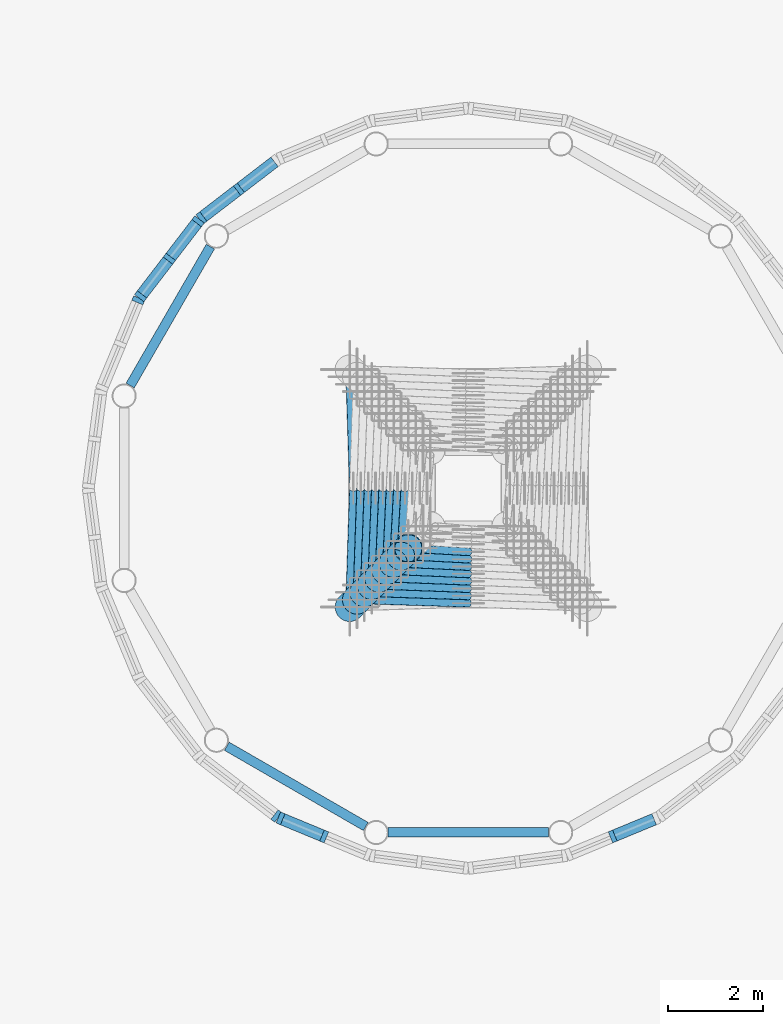
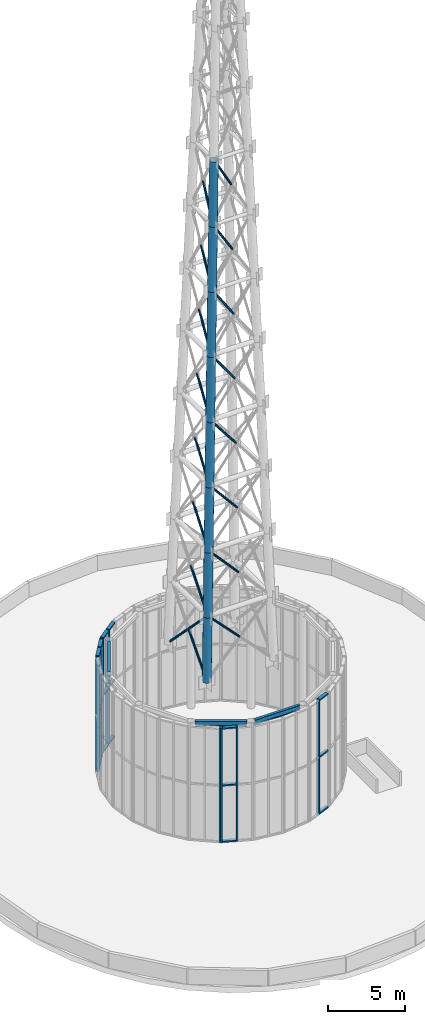
# One storey, part 2 of 11: 53 members, 3 beams, 6 elements without a shape of their own.
"""IFC4 building model written with IfcOpenShell, lengths in metres."""

from ifc_helpers import new_model, si_unit, direction, frame, origin, origin_2d, place, context, subcontext, project, spatial, rectangle, hollow_circle, i_section, extrude, material, material_profile, profile_set, type_object, element, aggregate, save


model = new_model("IFC4")

# Units and contexts
model_context = context("Model", 3, precision=1e-05, world=origin(), true_north=direction((0.0, 1.0)))
body_context = subcontext(model_context, "Body", "Model", "MODEL_VIEW")
ifc_project = project(units=[si_unit("LENGTHUNIT", "METRE"), si_unit("AREAUNIT", "SQUARE_METRE"), si_unit("VOLUMEUNIT", "CUBIC_METRE"), si_unit("PLANEANGLEUNIT", "RADIAN"), si_unit("MASSUNIT", "GRAM", prefix="KILO")], contexts=[model_context])

# Site, building, storey
site_placement = place(None, origin())
site = spatial("IfcSite", under=ifc_project, at=site_placement, CompositionType="ELEMENT")
building_placement = place(site_placement, origin())
building = spatial("IfcBuilding", under=site, at=building_placement, Name="Vermilion Reach Broadcast Tower", CompositionType="ELEMENT")
storey_placement = place(building_placement, frame((0.0, 0.0, 329.699951171875)))
storey = spatial("IfcBuildingStorey", under=building, at=storey_placement, Name="RF", CompositionType="ELEMENT", Elevation=329.699951171875)

# Beams
ifc_material_1 = material(Name="Steel S355J2", Category="steel")
ifc_material_profile_1 = material_profile(ifc_material_1, i_section(OverallWidth=0.199951171875, OverallDepth=0.39990234375, WebThickness=0.008056640625, FlangeThickness=0.012939453125, at=origin_2d()), Name="S355J2 HN 400x200x8x13")
ifc_profile_set_1 = profile_set([ifc_material_profile_1], Name="Steel S355J2")
beam_type = type_object("IfcBeamType", Name="DB1 HN 400x200x8x13", PredefinedType="BEAM", material=ifc_profile_set_1)
for number, where, z_axis, x_axis, name in (
    (1, (-11.430419921875, 5.083251953125, 8.85009765625), (-0.499983428175, -0.866034971321, 0.0), (0.866034971321, -0.499983428175, 0.0), "Plant drum ring beam DB1-05"),
    (2, (-11.083251953125, -5.430419921875, 8.85009765625), (0.866034971321, -0.499983428175, 0.0), (0.499983428175, 0.866034971321, 0.0), "Plant drum ring beam DB1-08"),
):
    element("IfcBeam", number, at=place(storey_placement, frame(where, z_axis=z_axis, x_axis=x_axis)), inside=storey, type_object=beam_type, Name=name, PredefinedType="BEAM", context=body_context, shape_type="SweptSolid", body=[
        extrude(i_section(OverallWidth=0.199951171875, OverallDepth=0.39990234375, WebThickness=0.008056640625, FlangeThickness=0.012939453125, at=origin_2d()), origin(), (0.0, 0.0, 1.0), 3.3740234375),
    ])
beam_placement = place(storey_placement, frame((-7.687255859375, -7.244384765625, 8.85009765625), z_axis=(1.0, 0.0, 0.0), x_axis=(0.0, 1.0, 0.0)))
element("IfcBeam", 3, at=beam_placement, inside=storey, type_object=beam_type, Name="Plant drum ring beam DB1-09", PredefinedType="BEAM", context=body_context, shape_type="SweptSolid", body=[
    extrude(i_section(OverallWidth=0.199951171875, OverallDepth=0.39990234375, WebThickness=0.008056640625, FlangeThickness=0.012939453125, at=origin_2d()), origin(), (0.0, 0.0, 1.0), 3.37451171875),
])

# Curtain wall, members
ifc_material_2 = material(Name="Low-e laminated clear glass in aluminium frame", Category="aluminium")
curtain_wall_type = type_object("IfcCurtainWallType", Name="Drum louvre curtain wall", PredefinedType="NOTDEFINED", material=ifc_material_2)
placement = place(storey_placement, origin())
curtain_wall_1 = element("IfcCurtainWall", 4, at=placement, inside=storey, type_object=curtain_wall_type, Name="Drum louvre wall RF 09", PredefinedType="NOTDEFINED")
ifc_material_3 = material(Name="Anodised aluminium", Category="aluminium")
ifc_material_profile_2 = material_profile(ifc_material_3, rectangle(XDim=0.25, YDim=0.10009765625, at=origin_2d()), Name="Drum louvre mullion 100 x 250")
ifc_profile_set_2 = profile_set([ifc_material_profile_2], Name="Anodised aluminium")
member_type_1 = type_object("IfcMemberType", Name="Drum louvre mullion 100 x 250", PredefinedType="MULLION", material=ifc_profile_set_2)
member_1_placement = place(storey_placement, frame((-10.828369140625, 6.29248046875, 0.0), z_axis=(0.0, 0.0, 1.0), x_axis=(0.608761429009, -0.793353340291, 0.0)))
member_1 = element("IfcMember", 5, at=member_1_placement, type_object=member_type_1, Name="Drum louvre wall mullion RF 09.2", PredefinedType="MULLION", context=body_context, shape_type="SweptSolid", body=[
    extrude(rectangle(XDim=0.25, YDim=0.10009765625, at=origin_2d()), origin(), (0.0, 0.0, 1.0), 9.050048828125),
])
member_2_placement = place(storey_placement, frame((-11.6171875, 5.687255859375, 0.0), z_axis=(0.0, 0.0, 1.0), x_axis=(0.608761429009, -0.793353340291, 0.0)))
member_2 = element("IfcMember", 6, at=member_2_placement, type_object=member_type_1, Name="Drum louvre wall mullion RF 09.3", PredefinedType="MULLION", context=body_context, shape_type="SweptSolid", body=[
    extrude(rectangle(XDim=0.25, YDim=0.10009765625, at=origin_2d()), origin(), (0.0, 0.0, 1.0), 9.050048828125),
])

curtain_wall_2 = element("IfcCurtainWall", 7, at=placement, inside=storey, type_object=curtain_wall_type, Name="Drum louvre wall RF 10", PredefinedType="NOTDEFINED")
member_3_placement = place(storey_placement, frame((-11.687255859375, 5.6171875, 0.0), z_axis=(0.0, 0.0, 1.0), x_axis=(0.793353340291, -0.608761429009, 0.0)))
member_3 = element("IfcMember", 8, at=member_3_placement, type_object=member_type_1, Name="Drum louvre wall mullion RF 10.1", PredefinedType="MULLION", context=body_context, shape_type="SweptSolid", body=[
    extrude(rectangle(XDim=0.25, YDim=0.10009765625, at=origin_2d()), origin(), (0.0, 0.0, 1.0), 9.050048828125),
])
member_4_placement = place(storey_placement, frame((-12.29248046875, 4.828369140625, 0.0), z_axis=(0.0, 0.0, 1.0), x_axis=(0.793353340291, -0.608761429009, 0.0)))
member_4 = element("IfcMember", 9, at=member_4_placement, type_object=member_type_1, Name="Drum louvre wall mullion RF 10.2", PredefinedType="MULLION", context=body_context, shape_type="SweptSolid", body=[
    extrude(rectangle(XDim=0.25, YDim=0.10009765625, at=origin_2d()), origin(), (0.0, 0.0, 1.0), 9.050048828125),
])
member_5_placement = place(storey_placement, frame((-12.897705078125, 4.03955078125, 0.0), z_axis=(0.0, 0.0, 1.0), x_axis=(0.793353340291, -0.608761429009, 0.0)))
member_5 = element("IfcMember", 10, at=member_5_placement, type_object=member_type_1, Name="Drum louvre wall mullion RF 10.3", PredefinedType="MULLION", context=body_context, shape_type="SweptSolid", body=[
    extrude(rectangle(XDim=0.25, YDim=0.10009765625, at=origin_2d()), origin(), (0.0, 0.0, 1.0), 9.050048828125),
])

# Curtain wall, member
curtain_wall_3 = element("IfcCurtainWall", 11, at=placement, inside=storey, type_object=curtain_wall_type, Name="Drum louvre wall RF 11", PredefinedType="NOTDEFINED")
member_6_placement = place(storey_placement, frame((-12.947265625, 3.953857421875, 0.0), z_axis=(0.0, 0.0, 1.0), x_axis=(0.923879532511, -0.382683432365, 0.0)))
member_6 = element("IfcMember", 12, at=member_6_placement, type_object=member_type_1, Name="Drum louvre wall mullion RF 11.1", PredefinedType="MULLION", context=body_context, shape_type="SweptSolid", body=[
    extrude(rectangle(XDim=0.25, YDim=0.10009765625, at=origin_2d()), origin(), (0.0, 0.0, 1.0), 9.050048828125),
])
aggregate(curtain_wall_3, [member_6])

curtain_wall_4 = element("IfcCurtainWall", 13, at=placement, inside=storey, type_object=curtain_wall_type, Name="Drum louvre wall RF 16", PredefinedType="NOTDEFINED")
member_7_placement = place(storey_placement, frame((-10.03955078125, -6.897705078125, 0.0), z_axis=(0.0, 0.0, 1.0), x_axis=(0.608761429009, 0.793353340291, 0.0)))
member_7 = element("IfcMember", 14, at=member_7_placement, type_object=member_type_1, Name="Drum louvre wall mullion RF 16.3", PredefinedType="MULLION", context=body_context, shape_type="SweptSolid", body=[
    extrude(rectangle(XDim=0.25, YDim=0.10009765625, at=origin_2d()), origin(), (0.0, 0.0, 1.0), 9.050048828125),
])
aggregate(curtain_wall_4, [member_7])

# Curtain wall, members
curtain_wall_5 = element("IfcCurtainWall", 15, at=placement, inside=storey, type_object=curtain_wall_type, Name="Drum louvre wall RF 17", PredefinedType="NOTDEFINED")
member_8_placement = place(storey_placement, frame((-9.953857421875, -6.947265625, 0.0), z_axis=(0.0, 0.0, 1.0), x_axis=(0.382683432365, 0.923879532511, 0.0)))
member_8 = element("IfcMember", 16, at=member_8_placement, type_object=member_type_1, Name="Drum louvre wall mullion RF 17.1", PredefinedType="MULLION", context=body_context, shape_type="SweptSolid", body=[
    extrude(rectangle(XDim=0.25, YDim=0.10009765625, at=origin_2d()), origin(), (0.0, 0.0, 1.0), 9.050048828125),
])
member_9_placement = place(storey_placement, frame((-9.03515625, -7.327880859375, 0.0), z_axis=(0.0, 0.0, 1.0), x_axis=(0.382683432365, 0.923879532511, 0.0)))
member_9 = element("IfcMember", 17, at=member_9_placement, type_object=member_type_1, Name="Drum louvre wall mullion RF 17.2", PredefinedType="MULLION", context=body_context, shape_type="SweptSolid", body=[
    extrude(rectangle(XDim=0.25, YDim=0.10009765625, at=origin_2d()), origin(), (0.0, 0.0, 1.0), 9.050048828125),
])

# Curtain wall, member
curtain_wall_6 = element("IfcCurtainWall", 18, at=placement, inside=storey, type_object=curtain_wall_type, Name="Drum louvre wall RF 20", PredefinedType="NOTDEFINED")
member_10_placement = place(storey_placement, frame((-2.96484375, -7.327880859375, 0.0), z_axis=(0.0, 0.0, 1.0), x_axis=(-0.382683432365, 0.923879532511, 0.0)))
member_10 = element("IfcMember", 19, at=member_10_placement, type_object=member_type_1, Name="Drum louvre wall mullion RF 20.2", PredefinedType="MULLION", context=body_context, shape_type="SweptSolid", body=[
    extrude(rectangle(XDim=0.25, YDim=0.10009765625, at=origin_2d()), origin(), (0.0, 0.0, 1.0), 9.050048828125),
])

# Member
ifc_material_4 = material(Name="Anodised aluminium", Category="aluminium")
ifc_material_profile_3 = material_profile(ifc_material_4, rectangle(XDim=0.25, YDim=0.10009765625, at=origin_2d()), Name="Drum louvre transom 250 x 100")
ifc_profile_set_3 = profile_set([ifc_material_profile_3], Name="Anodised aluminium")
member_type_2 = type_object("IfcMemberType", Name="Drum louvre transom 250 x 100", PredefinedType="USERDEFINED", material=ifc_profile_set_3)
member_11_placement = place(storey_placement, frame((-10.079345703125, 6.867431640625, 0.050048828125), z_axis=(-0.793333856292, -0.60878682021, 0.0), x_axis=(0.60878682021, -0.793333856292, 0.0)))
member_11 = element("IfcMember", 20, at=member_11_placement, type_object=member_type_2, Name="Drum louvre wall transom RF 09.1.1", ObjectType="TRANSOM", PredefinedType="USERDEFINED", context=body_context, shape_type="SweptSolid", body=[
    extrude(rectangle(XDim=0.25, YDim=0.10009765625, at=origin_2d()), origin(), (0.0, 0.0, 1.0), 0.894287109375),
])

member_12_placement = place(storey_placement, frame((-10.079345703125, 6.867431640625, 4.5), z_axis=(-0.793333856292, -0.60878682021, 0.0), x_axis=(0.60878682021, -0.793333856292, 0.0)))
member_12 = element("IfcMember", 21, at=member_12_placement, type_object=member_type_2, Name="Drum louvre wall transom RF 09.1.2", ObjectType="TRANSOM", PredefinedType="USERDEFINED", context=body_context, shape_type="SweptSolid", body=[
    extrude(rectangle(XDim=0.25, YDim=0.10009765625, at=origin_2d()), origin(), (0.0, 0.0, 1.0), 0.894287109375),
])

member_13_placement = place(storey_placement, frame((-10.079345703125, 6.867431640625, 9.0), z_axis=(-0.793333856292, -0.60878682021, 0.0), x_axis=(0.60878682021, -0.793333856292, 0.0)))
member_13 = element("IfcMember", 22, at=member_13_placement, type_object=member_type_2, Name="Drum louvre wall transom RF 09.1.3", ObjectType="TRANSOM", PredefinedType="USERDEFINED", context=body_context, shape_type="SweptSolid", body=[
    extrude(rectangle(XDim=0.25, YDim=0.10009765625, at=origin_2d()), origin(), (0.0, 0.0, 1.0), 0.894287109375),
])

member_14_placement = place(storey_placement, frame((-10.8681640625, 6.26220703125, 0.050048828125), z_axis=(-0.793333856292, -0.60878682021, 0.0), x_axis=(0.60878682021, -0.793333856292, 0.0)))
member_14 = element("IfcMember", 23, at=member_14_placement, type_object=member_type_2, Name="Drum louvre wall transom RF 09.2.1", ObjectType="TRANSOM", PredefinedType="USERDEFINED", context=body_context, shape_type="SweptSolid", body=[
    extrude(rectangle(XDim=0.25, YDim=0.10009765625, at=origin_2d()), origin(), (0.0, 0.0, 1.0), 0.894287109375),
])

member_15_placement = place(storey_placement, frame((-10.8681640625, 6.26220703125, 4.5), z_axis=(-0.793333856292, -0.60878682021, 0.0), x_axis=(0.60878682021, -0.793333856292, 0.0)))
member_15 = element("IfcMember", 24, at=member_15_placement, type_object=member_type_2, Name="Drum louvre wall transom RF 09.2.2", ObjectType="TRANSOM", PredefinedType="USERDEFINED", context=body_context, shape_type="SweptSolid", body=[
    extrude(rectangle(XDim=0.25, YDim=0.10009765625, at=origin_2d()), origin(), (0.0, 0.0, 1.0), 0.894287109375),
])

member_16_placement = place(storey_placement, frame((-10.8681640625, 6.26220703125, 9.0), z_axis=(-0.793333856292, -0.60878682021, 0.0), x_axis=(0.60878682021, -0.793333856292, 0.0)))
member_16 = element("IfcMember", 25, at=member_16_placement, type_object=member_type_2, Name="Drum louvre wall transom RF 09.2.3", ObjectType="TRANSOM", PredefinedType="USERDEFINED", context=body_context, shape_type="SweptSolid", body=[
    extrude(rectangle(XDim=0.25, YDim=0.10009765625, at=origin_2d()), origin(), (0.0, 0.0, 1.0), 0.894287109375),
])

aggregate(curtain_wall_1, [member_1, member_2, member_11, member_12, member_13, member_14, member_15, member_16])

member_17_placement = place(storey_placement, frame((-11.7177734375, 5.57763671875, 0.050048828125), z_axis=(-0.60878682021, -0.793333856292, 0.0), x_axis=(0.793333856292, -0.60878682021, 0.0)))
member_17 = element("IfcMember", 26, at=member_17_placement, type_object=member_type_2, Name="Drum louvre wall transom RF 10.1.1", ObjectType="TRANSOM", PredefinedType="USERDEFINED", context=body_context, shape_type="SweptSolid", body=[
    extrude(rectangle(XDim=0.25, YDim=0.10009765625, at=origin_2d()), origin(), (0.0, 0.0, 1.0), 0.894287109375),
])

member_18_placement = place(storey_placement, frame((-11.7177734375, 5.57763671875, 4.5), z_axis=(-0.60878682021, -0.793333856292, 0.0), x_axis=(0.793333856292, -0.60878682021, 0.0)))
member_18 = element("IfcMember", 27, at=member_18_placement, type_object=member_type_2, Name="Drum louvre wall transom RF 10.1.2", ObjectType="TRANSOM", PredefinedType="USERDEFINED", context=body_context, shape_type="SweptSolid", body=[
    extrude(rectangle(XDim=0.25, YDim=0.10009765625, at=origin_2d()), origin(), (0.0, 0.0, 1.0), 0.894287109375),
])

member_19_placement = place(storey_placement, frame((-11.7177734375, 5.57763671875, 9.0), z_axis=(-0.60878682021, -0.793333856292, 0.0), x_axis=(0.793333856292, -0.60878682021, 0.0)))
member_19 = element("IfcMember", 28, at=member_19_placement, type_object=member_type_2, Name="Drum louvre wall transom RF 10.1.3", ObjectType="TRANSOM", PredefinedType="USERDEFINED", context=body_context, shape_type="SweptSolid", body=[
    extrude(rectangle(XDim=0.25, YDim=0.10009765625, at=origin_2d()), origin(), (0.0, 0.0, 1.0), 0.894287109375),
])

member_20_placement = place(storey_placement, frame((-12.322998046875, 4.788818359375, 0.050048828125), z_axis=(-0.60878682021, -0.793333856292, 0.0), x_axis=(0.793333856292, -0.60878682021, 0.0)))
member_20 = element("IfcMember", 29, at=member_20_placement, type_object=member_type_2, Name="Drum louvre wall transom RF 10.2.1", ObjectType="TRANSOM", PredefinedType="USERDEFINED", context=body_context, shape_type="SweptSolid", body=[
    extrude(rectangle(XDim=0.25, YDim=0.10009765625, at=origin_2d()), origin(), (0.0, 0.0, 1.0), 0.894287109375),
])

member_21_placement = place(storey_placement, frame((-12.322998046875, 4.788818359375, 4.5), z_axis=(-0.60878682021, -0.793333856292, 0.0), x_axis=(0.793333856292, -0.60878682021, 0.0)))
member_21 = element("IfcMember", 30, at=member_21_placement, type_object=member_type_2, Name="Drum louvre wall transom RF 10.2.2", ObjectType="TRANSOM", PredefinedType="USERDEFINED", context=body_context, shape_type="SweptSolid", body=[
    extrude(rectangle(XDim=0.25, YDim=0.10009765625, at=origin_2d()), origin(), (0.0, 0.0, 1.0), 0.894287109375),
])

member_22_placement = place(storey_placement, frame((-12.322998046875, 4.788818359375, 9.0), z_axis=(-0.60878682021, -0.793333856292, 0.0), x_axis=(0.793333856292, -0.60878682021, 0.0)))
member_22 = element("IfcMember", 31, at=member_22_placement, type_object=member_type_2, Name="Drum louvre wall transom RF 10.2.3", ObjectType="TRANSOM", PredefinedType="USERDEFINED", context=body_context, shape_type="SweptSolid", body=[
    extrude(rectangle(XDim=0.25, YDim=0.10009765625, at=origin_2d()), origin(), (0.0, 0.0, 1.0), 0.894287109375),
])

aggregate(curtain_wall_2, [member_3, member_4, member_5, member_17, member_18, member_19, member_20, member_21, member_22])

member_23_placement = place(storey_placement, frame((-9.90771484375, -6.966552734375, 0.050048828125), z_axis=(0.923946964655, -0.382520596183, 0.0), x_axis=(0.382520596183, 0.923946964655, 0.0)))
member_23 = element("IfcMember", 32, at=member_23_placement, type_object=member_type_2, Name="Drum louvre wall transom RF 17.1.1", ObjectType="TRANSOM", PredefinedType="USERDEFINED", context=body_context, shape_type="SweptSolid", body=[
    extrude(rectangle(XDim=0.25, YDim=0.10009765625, at=origin_2d()), origin(), (0.0, 0.0, 1.0), 0.894287109375),
])

member_24_placement = place(storey_placement, frame((-9.90771484375, -6.966552734375, 4.5), z_axis=(0.923946964655, -0.382520596183, 0.0), x_axis=(0.382520596183, 0.923946964655, 0.0)))
member_24 = element("IfcMember", 33, at=member_24_placement, type_object=member_type_2, Name="Drum louvre wall transom RF 17.1.2", ObjectType="TRANSOM", PredefinedType="USERDEFINED", context=body_context, shape_type="SweptSolid", body=[
    extrude(rectangle(XDim=0.25, YDim=0.10009765625, at=origin_2d()), origin(), (0.0, 0.0, 1.0), 0.894287109375),
])

member_25_placement = place(storey_placement, frame((-9.90771484375, -6.966552734375, 9.0), z_axis=(0.923946964655, -0.382520596183, 0.0), x_axis=(0.382520596183, 0.923946964655, 0.0)))
member_25 = element("IfcMember", 34, at=member_25_placement, type_object=member_type_2, Name="Drum louvre wall transom RF 17.1.3", ObjectType="TRANSOM", PredefinedType="USERDEFINED", context=body_context, shape_type="SweptSolid", body=[
    extrude(rectangle(XDim=0.25, YDim=0.10009765625, at=origin_2d()), origin(), (0.0, 0.0, 1.0), 0.894287109375),
])

aggregate(curtain_wall_5, [member_8, member_9, member_23, member_24, member_25])

member_26_placement = place(storey_placement, frame((-2.91845703125, -7.30859375, 0.050048828125), z_axis=(0.923946964655, 0.382520596183, 0.0), x_axis=(-0.382520596183, 0.923946964655, 0.0)))
member_26 = element("IfcMember", 35, at=member_26_placement, type_object=member_type_2, Name="Drum louvre wall transom RF 20.2.1", ObjectType="TRANSOM", PredefinedType="USERDEFINED", context=body_context, shape_type="SweptSolid", body=[
    extrude(rectangle(XDim=0.25, YDim=0.10009765625, at=origin_2d()), origin(), (0.0, 0.0, 1.0), 0.894287109375),
])

member_27_placement = place(storey_placement, frame((-2.91845703125, -7.30859375, 4.5), z_axis=(0.923946964655, 0.382520596183, 0.0), x_axis=(-0.382520596183, 0.923946964655, 0.0)))
member_27 = element("IfcMember", 36, at=member_27_placement, type_object=member_type_2, Name="Drum louvre wall transom RF 20.2.2", ObjectType="TRANSOM", PredefinedType="USERDEFINED", context=body_context, shape_type="SweptSolid", body=[
    extrude(rectangle(XDim=0.25, YDim=0.10009765625, at=origin_2d()), origin(), (0.0, 0.0, 1.0), 0.894287109375),
])

member_28_placement = place(storey_placement, frame((-2.91845703125, -7.30859375, 9.0), z_axis=(0.923946964655, 0.382520596183, 0.0), x_axis=(-0.382520596183, 0.923946964655, 0.0)))
member_28 = element("IfcMember", 37, at=member_28_placement, type_object=member_type_2, Name="Drum louvre wall transom RF 20.2.3", ObjectType="TRANSOM", PredefinedType="USERDEFINED", context=body_context, shape_type="SweptSolid", body=[
    extrude(rectangle(XDim=0.25, YDim=0.10009765625, at=origin_2d()), origin(), (0.0, 0.0, 1.0), 0.894287109375),
])

aggregate(curtain_wall_6, [member_10, member_26, member_27, member_28])

# Members
ifc_material_5 = material(Name="Steel S355J2H", Category="steel")
ifc_material_profile_4 = material_profile(ifc_material_5, hollow_circle(Radius=0.084228515625, WallThickness=0.008056640625, at=origin_2d()), Name="S355J2H CHS 168x8")
ifc_profile_set_4 = profile_set([ifc_material_profile_4], Name="Steel S355J2H")
member_type_3 = type_object("IfcMemberType", Name="MBR CHS 168x8", PredefinedType="BRACE", material=ifc_profile_set_4)
member_29_placement = place(storey_placement, frame((-6.0, -2.420166015625, 12.079833984375), z_axis=(-0.695778743189, 0.022136242917, 0.717914986106), x_axis=(-0.031798971296, -0.999494284838, 0.0)))
element("IfcMember", 38, at=member_29_placement, inside=storey, type_object=member_type_3, Name="Mast brace panel 1", PredefinedType="BRACE", context=body_context, shape_type="SweptSolid", body=[
    extrude(hollow_circle(Radius=0.084228515625, WallThickness=0.008056640625, at=origin_2d()), origin(), (0.0, 0.0, 1.0), 3.066162109375),
])
member_30_placement = place(storey_placement, frame((-8.4931640625, 2.287841796875, 9.718994140625), z_axis=(0.022168783779, -0.695761707887, 0.717930491666), x_axis=(0.99949277323, 0.031846448183, 0.0)))
element("IfcMember", 39, at=member_30_placement, inside=storey, type_object=member_type_3, Name="Mast brace panel 1", PredefinedType="BRACE", context=body_context, shape_type="SweptSolid", body=[
    extrude(hollow_circle(Radius=0.084228515625, WallThickness=0.008056640625, at=origin_2d()), origin(), (0.0, 0.0, 1.0), 6.3544921875),
])
member_31_placement = place(storey_placement, frame((-8.4931640625, -2.287841796875, 9.718994140625), z_axis=(0.022199125077, 0.695745823055, 0.717944948132), x_axis=(-0.9994913617, 0.031890717869, 0.0)))
element("IfcMember", 40, at=member_31_placement, inside=storey, type_object=member_type_3, Name="Mast brace panel 1", PredefinedType="BRACE", context=body_context, shape_type="SweptSolid", body=[
    extrude(hollow_circle(Radius=0.084228515625, WallThickness=0.008056640625, at=origin_2d()), origin(), (0.0, 0.0, 1.0), 3.288330078125),
])
member_32_placement = place(storey_placement, frame((-6.0, -2.265625, 17.085205078125), z_axis=(-0.671777177322, 0.022874281268, 0.740400021127), x_axis=(-0.034030677134, -0.999420788764, 0.0)))
element("IfcMember", 41, at=member_32_placement, inside=storey, type_object=member_type_3, Name="Mast brace panel 2", PredefinedType="BRACE", context=body_context, shape_type="SweptSolid", body=[
    extrude(hollow_circle(Radius=0.084228515625, WallThickness=0.008056640625, at=origin_2d()), origin(), (0.0, 0.0, 1.0), 2.95654296875),
])
member_33_placement = place(storey_placement, frame((-8.33837890625, -2.140625, 14.725830078125), z_axis=(0.022831426931, 0.671764937339, 0.740412449184), x_axis=(-0.999422934117, 0.033967613409, 0.0)))
element("IfcMember", 42, at=member_33_placement, inside=storey, type_object=member_type_3, Name="Mast brace panel 2", PredefinedType="BRACE", context=body_context, shape_type="SweptSolid", body=[
    extrude(hollow_circle(Radius=0.084228515625, WallThickness=0.008056640625, at=origin_2d()), origin(), (0.0, 0.0, 1.0), 3.1865234375),
])
member_34_placement = place(storey_placement, frame((-6.0, -2.11083984375, 22.091552734375), z_axis=(-0.645508162712, 0.023644360041, 0.763387291033), x_axis=(-0.03660451667, -0.999329830116, 0.0)))
element("IfcMember", 43, at=member_34_placement, inside=storey, type_object=member_type_3, Name="Mast brace panel 3", PredefinedType="BRACE", context=body_context, shape_type="SweptSolid", body=[
    extrude(hollow_circle(Radius=0.084228515625, WallThickness=0.008056640625, at=origin_2d()), origin(), (0.0, 0.0, 1.0), 2.849853515625),
])
member_35_placement = place(storey_placement, frame((-8.18359375, -1.994140625, 19.73291015625), z_axis=(0.023548672028, 0.645454876267, 0.763435303577), x_axis=(-0.999335128402, 0.036459582305, 0.0)))
element("IfcMember", 44, at=member_35_placement, inside=storey, type_object=member_type_3, Name="Mast brace panel 3", PredefinedType="BRACE", context=body_context, shape_type="SweptSolid", body=[
    extrude(hollow_circle(Radius=0.084228515625, WallThickness=0.008056640625, at=origin_2d()), origin(), (0.0, 0.0, 1.0), 3.089599609375),
])
member_36_placement = place(storey_placement, frame((-6.0, -1.9560546875, 27.0986328125), z_axis=(-0.616652575441, 0.024353243827, 0.786858640873), x_axis=(-0.03946188742, -0.99922107636, 0.0)))
element("IfcMember", 45, at=member_36_placement, inside=storey, type_object=member_type_3, Name="Mast brace panel 4", PredefinedType="BRACE", context=body_context, shape_type="SweptSolid", body=[
    extrude(hollow_circle(Radius=0.084228515625, WallThickness=0.008056640625, at=origin_2d()), origin(), (0.0, 0.0, 1.0), 2.746826171875),
])
member_37_placement = place(storey_placement, frame((-8.029052734375, -1.848388671875, 24.739990234375), z_axis=(0.024352897894, 0.61664143797, 0.786867379768), x_axis=(-0.999221070359, 0.039462039366, 0.0)))
element("IfcMember", 46, at=member_37_placement, inside=storey, type_object=member_type_3, Name="Mast brace panel 4", PredefinedType="BRACE", context=body_context, shape_type="SweptSolid", body=[
    extrude(hollow_circle(Radius=0.084228515625, WallThickness=0.008056640625, at=origin_2d()), origin(), (0.0, 0.0, 1.0), 2.99755859375),
])
member_38_placement = place(storey_placement, frame((-6.0, -1.80126953125, 32.107177734375), z_axis=(-0.585087405747, 0.025085714748, 0.810582157805), x_axis=(-0.042835803625, -0.999082125717, 0.0)))
element("IfcMember", 47, at=member_38_placement, inside=storey, type_object=member_type_3, Name="Mast brace panel 5", PredefinedType="BRACE", context=body_context, shape_type="SweptSolid", body=[
    extrude(hollow_circle(Radius=0.084228515625, WallThickness=0.008056640625, at=origin_2d()), origin(), (0.0, 0.0, 1.0), 2.647216796875),
])
member_39_placement = place(storey_placement, frame((-7.874267578125, -1.703369140625, 29.747314453125), z_axis=(0.025073916487, 0.585086004445, 0.810583534322), x_axis=(-0.999082983326, 0.042815796476, 0.0)))
element("IfcMember", 48, at=member_39_placement, inside=storey, type_object=member_type_3, Name="Mast brace panel 5", PredefinedType="BRACE", context=body_context, shape_type="SweptSolid", body=[
    extrude(hollow_circle(Radius=0.084228515625, WallThickness=0.008056640625, at=origin_2d()), origin(), (0.0, 0.0, 1.0), 2.911376953125),
])
member_40_placement = place(storey_placement, frame((-6.0, -1.646484375, 37.1171875), z_axis=(-0.550666285519, 0.025839398173, 0.834325456579), x_axis=(-0.046872304513, -0.998900889513, 0.0)))
element("IfcMember", 49, at=member_40_placement, inside=storey, type_object=member_type_3, Name="Mast brace panel 6", PredefinedType="BRACE", context=body_context, shape_type="SweptSolid", body=[
    extrude(hollow_circle(Radius=0.084228515625, WallThickness=0.008056640625, at=origin_2d()), origin(), (0.0, 0.0, 1.0), 2.551025390625),
])
member_41_placement = place(storey_placement, frame((-7.719482421875, -1.559326171875, 34.754638671875), z_axis=(0.025778975524, 0.550669955429, 0.834324903505), x_axis=(-0.998906029941, 0.046762627674, 0.0)))
element("IfcMember", 50, at=member_41_placement, inside=storey, type_object=member_type_3, Name="Mast brace panel 6", PredefinedType="BRACE", context=body_context, shape_type="SweptSolid", body=[
    extrude(hollow_circle(Radius=0.084228515625, WallThickness=0.008056640625, at=origin_2d()), origin(), (0.0, 0.0, 1.0), 2.831787109375),
])
member_42_placement = place(storey_placement, frame((-6.0, -1.491455078125, 42.129150390625), z_axis=(-0.513190001673, 0.026513492734, 0.857865407209), x_axis=(-0.051595274093, -0.998668076836, 0.0)))
element("IfcMember", 51, at=member_42_placement, inside=storey, type_object=member_type_3, Name="Mast brace panel 7", PredefinedType="BRACE", context=body_context, shape_type="SweptSolid", body=[
    extrude(hollow_circle(Radius=0.084228515625, WallThickness=0.008056640625, at=origin_2d()), origin(), (0.0, 0.0, 1.0), 2.45849609375),
])
member_43_placement = place(storey_placement, frame((-7.564697265625, -1.416259765625, 39.76171875), z_axis=(0.026540005715, 0.513195243844, 0.857861451397), x_axis=(-0.998665444252, 0.051646204667, 0.0)))
element("IfcMember", 52, at=member_43_placement, inside=storey, type_object=member_type_3, Name="Mast brace panel 7", PredefinedType="BRACE", context=body_context, shape_type="SweptSolid", body=[
    extrude(hollow_circle(Radius=0.084228515625, WallThickness=0.008056640625, at=origin_2d()), origin(), (0.0, 0.0, 1.0), 2.759765625),
])
member_44_placement = place(storey_placement, frame((-6.0, -1.33642578125, 47.14404296875), z_axis=(-0.472498374716, 0.027200080882, 0.880911710384), x_axis=(-0.057471358278, -0.998347155541, 0.0)))
element("IfcMember", 53, at=member_44_placement, inside=storey, type_object=member_type_3, Name="Mast brace panel 8", PredefinedType="BRACE", context=body_context, shape_type="SweptSolid", body=[
    extrude(hollow_circle(Radius=0.084228515625, WallThickness=0.008056640625, at=origin_2d()), origin(), (0.0, 0.0, 1.0), 2.36962890625),
])
member_45_placement = place(storey_placement, frame((-7.409912109375, -1.274169921875, 44.768798828125), z_axis=(0.027253269785, 0.472540913647, 0.880887248299), x_axis=(-0.998340999136, 0.057578202863, 0.0)))
element("IfcMember", 54, at=member_45_placement, inside=storey, type_object=member_type_3, Name="Mast brace panel 8", PredefinedType="BRACE", context=body_context, shape_type="SweptSolid", body=[
    extrude(hollow_circle(Radius=0.084228515625, WallThickness=0.008056640625, at=origin_2d()), origin(), (0.0, 0.0, 1.0), 2.696533203125),
])
ifc_material_6 = material(Name="Steel S355J2H", Category="steel")
ifc_material_profile_5 = material_profile(ifc_material_6, hollow_circle(Radius=0.304931640625, WallThickness=0.02490234375, at=origin_2d()), Name="S355J2H CHS 610x25")
ifc_profile_set_5 = profile_set([ifc_material_profile_5], Name="Steel S355J2H")
member_type_4 = type_object("IfcMemberType", Name="MLG1 CHS 610x25", PredefinedType="POST", material=ifc_profile_set_5)
for number, where, z_axis, x_axis, name in (
    (55, (-8.5, -2.5, 9.5), (0.030878718237, 0.030878718237, 0.99904604975), (-0.707106781187, 0.707106781187, 0.0), "Mast leg L1 panel 1"),
    (56, (-8.345458984375, -2.345458984375, 14.5), (0.030878718237, 0.030878718237, 0.99904604975), (-0.707106781187, 0.707106781187, 0.0), "Mast leg L1 panel 2"),
    (57, (-8.19091796875, -2.19091796875, 19.5), (0.030878718237, 0.030878718237, 0.99904604975), (-0.707106781187, 0.707106781187, 0.0), "Mast leg L1 panel 3"),
    (58, (-8.036376953125, -2.036376953125, 24.5), (0.030878718237, 0.030878718237, 0.99904604975), (-0.707106781187, 0.707106781187, 0.0), "Mast leg L1 panel 4"),
    (59, (-7.8818359375, -1.8818359375, 29.5), (0.030878718237, 0.030878718237, 0.99904604975), (-0.707106781187, 0.707106781187, 0.0), "Mast leg L1 panel 5"),
):
    element("IfcMember", number, at=place(storey_placement, frame(where, z_axis=z_axis, x_axis=x_axis)), inside=storey, type_object=member_type_4, Name=name, PredefinedType="POST", context=body_context, shape_type="SweptSolid", body=[
        extrude(hollow_circle(Radius=0.304931640625, WallThickness=0.02490234375, at=origin_2d()), origin(), (0.0, 0.0, 1.0), 5.0048828125),
    ])
ifc_material_7 = material(Name="Steel S355J2H", Category="steel")
ifc_material_profile_6 = material_profile(ifc_material_7, hollow_circle(Radius=0.304931640625, WallThickness=0.02001953125, at=origin_2d()), Name="S355J2H CHS 610x20")
ifc_profile_set_6 = profile_set([ifc_material_profile_6], Name="Steel S355J2H")
member_type_5 = type_object("IfcMemberType", Name="MLG2 CHS 610x20", PredefinedType="POST", material=ifc_profile_set_6)
for number, where, z_axis, x_axis, name in (
    (60, (-7.727294921875, -1.727294921875, 34.5), (0.030878718237, 0.030878718237, 0.99904604975), (-0.707106781187, 0.707106781187, 0.0), "Mast leg L1 panel 6"),
    (61, (-7.57275390625, -1.57275390625, 39.5), (0.030878718237, 0.030878718237, 0.99904604975), (-0.707106781187, 0.707106781187, 0.0), "Mast leg L1 panel 7"),
    (62, (-7.418212890625, -1.418212890625, 44.5), (0.030878718237, 0.030878718237, 0.99904604975), (-0.707106781187, 0.707106781187, 0.0), "Mast leg L1 panel 8"),
):
    element("IfcMember", number, at=place(storey_placement, frame(where, z_axis=z_axis, x_axis=x_axis)), inside=storey, type_object=member_type_5, Name=name, PredefinedType="POST", context=body_context, shape_type="SweptSolid", body=[
        extrude(hollow_circle(Radius=0.304931640625, WallThickness=0.02001953125, at=origin_2d()), origin(), (0.0, 0.0, 1.0), 5.0048828125),
    ])

save(model, "model.ifc")
